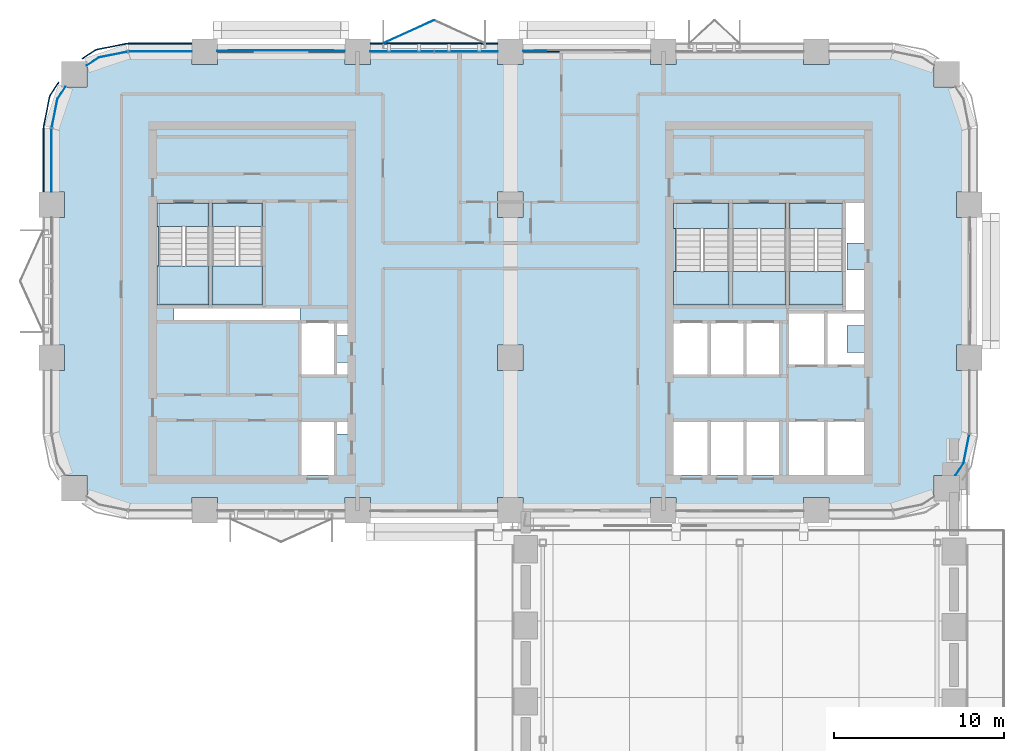
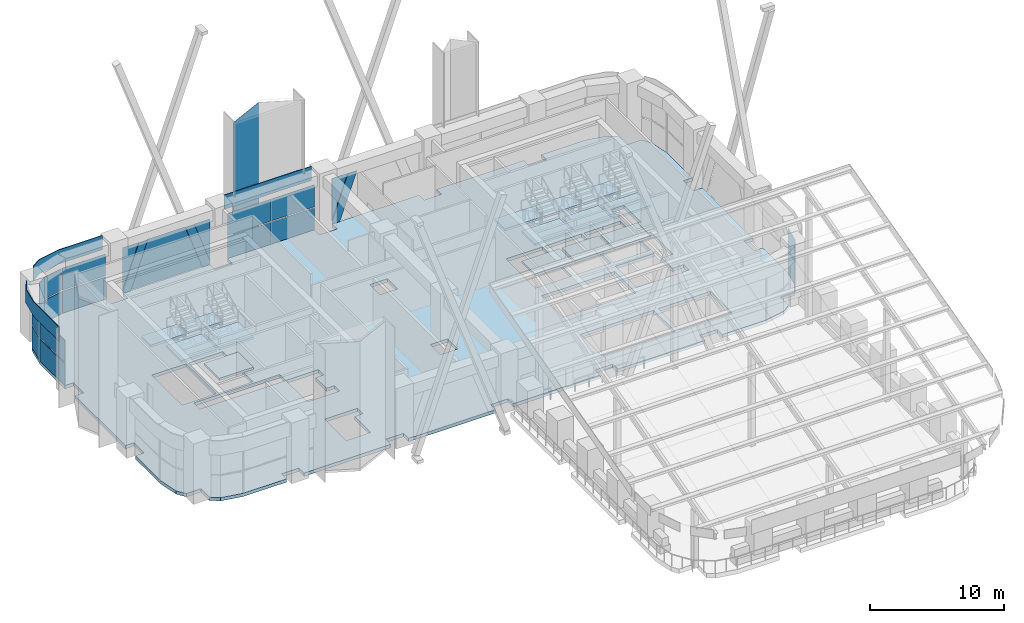
# One storey, part 11 of 22: 25 plates, 15 slabs, 11 elements without a shape of their own.
"""IFC4 building model written with IfcOpenShell, lengths in metres."""

from ifc_helpers import new_model, si_unit, direction, frame, origin, origin_2d, place, context, subcontext, project, spatial, polyline, rectangle, outline, extrude, material, layer, layer_set, type_object, element, aggregate, save


model = new_model("IFC4")

# Units and contexts
model_context = context("Model", 3, precision=1e-05, world=origin(), true_north=direction((0.0, 1.0)))
body_context = subcontext(model_context, "Body", "Model", "MODEL_VIEW")
ifc_project = project(units=[si_unit("LENGTHUNIT", "METRE"), si_unit("AREAUNIT", "SQUARE_METRE"), si_unit("VOLUMEUNIT", "CUBIC_METRE"), si_unit("PLANEANGLEUNIT", "RADIAN"), si_unit("MASSUNIT", "GRAM", prefix="KILO")], contexts=[model_context])

# Site, building, storey
site_placement = place(None, origin())
site = spatial("IfcSite", under=ifc_project, at=site_placement, CompositionType="ELEMENT")
building_placement = place(site_placement, origin())
building = spatial("IfcBuilding", under=site, at=building_placement, Name="Tessera Arch", CompositionType="ELEMENT")
storey_placement = place(building_placement, frame((0.0, 0.0, 129.39990234375)))
storey = spatial("IfcBuildingStorey", under=building, at=storey_placement, Name="L30", CompositionType="ELEMENT", Elevation=129.39990234375)

# Curtain wall, plates
ifc_material_1 = material(Name="CW1 curtain wall")
curtain_wall_type_1 = type_object("IfcCurtainWallType", Name="CW1 curtain wall", PredefinedType="NOTDEFINED", material=ifc_material_1)
curtain_wall_1_placement = place(storey_placement, origin())
curtain_wall_1 = element("IfcCurtainWall", 1, at=curtain_wall_1_placement, inside=storey, type_object=curtain_wall_type_1, Name="CW1 curtain wall N54.0/3 L30", PredefinedType="NOTDEFINED")
ifc_material_2 = material(Name="Clear low-e glass", Category="glass")
ifc_material_3 = material(Name="Clear low-e glass", Category="glass")
ifc_layer_1 = layer(ifc_material_3, 0.028076171875)
ifc_layer_set_1 = layer_set([ifc_layer_1], Name="CW1 glass panel")
plate_type_1 = type_object("IfcPlateType", Name="CW1 glass panel", PredefinedType="CURTAIN_PANEL", material=ifc_layer_set_1)
plate_1_placement = place(storey_placement, frame((24.389892578125, 54.0, 0.0), z_axis=(0.0, 0.0, 1.0), x_axis=(-1.0, 0.0, 0.0)))
plate_1 = element("IfcPlate", 2, at=plate_1_placement, type_object=plate_type_1, material=ifc_material_2, Name="CW1 glass panel N54.0/3 1.1.1", PredefinedType="CURTAIN_PANEL", context=body_context, shape_type="SweptSolid", body=[
    extrude(rectangle(XDim=3.719970703125, YDim=0.028076171875, at=origin_2d()), origin(), (0.0, 0.0, 1.0), 2.0),
])
plate_2_placement = place(storey_placement, frame((24.389892578125, 54.0, 2.10009765625), z_axis=(0.0, 0.0, 1.0), x_axis=(-1.0, 0.0, 0.0)))
plate_2 = element("IfcPlate", 3, at=plate_2_placement, type_object=plate_type_1, material=ifc_material_2, Name="CW1 glass panel N54.0/3 1.1.2", PredefinedType="CURTAIN_PANEL", context=body_context, shape_type="SweptSolid", body=[
    extrude(rectangle(XDim=3.719970703125, YDim=0.028076171875, at=origin_2d()), origin(), (0.0, 0.0, 1.0), 2.0),
])
plate_3_placement = place(storey_placement, frame((20.610107421875, 54.0, 0.0), z_axis=(0.0, 0.0, 1.0), x_axis=(-1.0, 0.0, 0.0)))
plate_3 = element("IfcPlate", 4, at=plate_3_placement, type_object=plate_type_1, material=ifc_material_2, Name="CW1 glass panel N54.0/3 1.2.1", PredefinedType="CURTAIN_PANEL", context=body_context, shape_type="SweptSolid", body=[
    extrude(rectangle(XDim=3.719970703125, YDim=0.028076171875, at=origin_2d()), origin(), (0.0, 0.0, 1.0), 2.0),
])
plate_4_placement = place(storey_placement, frame((20.610107421875, 54.0, 2.10009765625), z_axis=(0.0, 0.0, 1.0), x_axis=(-1.0, 0.0, 0.0)))
plate_4 = element("IfcPlate", 5, at=plate_4_placement, type_object=plate_type_1, material=ifc_material_2, Name="CW1 glass panel N54.0/3 1.2.2", PredefinedType="CURTAIN_PANEL", context=body_context, shape_type="SweptSolid", body=[
    extrude(rectangle(XDim=3.719970703125, YDim=0.028076171875, at=origin_2d()), origin(), (0.0, 0.0, 1.0), 2.0),
])
ifc_material_4 = material(Name="Pale anodised aluminium panel", Category="aluminium")
ifc_layer_2 = layer(ifc_material_4, 0.06005859375)
ifc_layer_set_2 = layer_set([ifc_layer_2], Name="CW1 spandrel panel")
plate_type_2 = type_object("IfcPlateType", Name="CW1 spandrel panel", PredefinedType="CURTAIN_PANEL", material=ifc_layer_set_2)
plate_5_placement = place(storey_placement, frame((22.5, 54.47998046875, 4.2001953125), z_axis=(0.0, 0.0, 1.0), x_axis=(-1.0, 0.0, 0.0)))
plate_5 = element("IfcPlate", 6, at=plate_5_placement, type_object=plate_type_2, Name="CW1 spandrel panel N54.0/3", PredefinedType="CURTAIN_PANEL", context=body_context, shape_type="SweptSolid", body=[
    extrude(rectangle(XDim=7.5, YDim=0.06005859375, at=origin_2d()), origin(), (0.0, 0.0, 1.0), 1.300048828125),
])
aggregate(curtain_wall_1, [plate_1, plate_2, plate_3, plate_4, plate_5])

ifc_material_5 = material(Name="CW2 curtain wall")
curtain_wall_type_2 = type_object("IfcCurtainWallType", Name="CW2 curtain wall", PredefinedType="NOTDEFINED", material=ifc_material_5)
curtain_wall_2_placement = place(storey_placement, origin())
curtain_wall_2 = element("IfcCurtainWall", 7, at=curtain_wall_2_placement, inside=storey, type_object=curtain_wall_type_2, Name="CW2 curtain wall N54.0/5 L30", PredefinedType="NOTDEFINED")
ifc_material_6 = material(Name="Clear low-e glass", Category="glass")
ifc_layer_3 = layer(ifc_material_6, 0.028076171875)
ifc_layer_set_3 = layer_set([ifc_layer_3], Name="CW2 glass panel")
plate_type_3 = type_object("IfcPlateType", Name="CW2 glass panel", PredefinedType="CURTAIN_PANEL", material=ifc_layer_set_3)
plate_6_placement = place(storey_placement, frame((6.39501953125, 54.0, 0.0), z_axis=(0.0, 0.0, 1.0), x_axis=(-1.0, 0.0, 0.0)))
plate_6 = element("IfcPlate", 8, at=plate_6_placement, type_object=plate_type_3, material=ifc_material_2, Name="CW2 glass panel N54.0/5 1.1", PredefinedType="CURTAIN_PANEL", context=body_context, shape_type="SweptSolid", body=[
    extrude(rectangle(XDim=3.7099609375, YDim=0.028076171875, at=origin_2d()), origin(), (0.0, 0.0, 1.0), 2.0),
])
plate_7_placement = place(storey_placement, origin())
plate_7 = element("IfcPlate", 9, at=plate_7_placement, type_object=plate_type_3, material=ifc_material_2, Name="CW2 curved glass panel N54.0/5 2.1", PredefinedType="CURTAIN_PANEL", context=body_context, shape_type="SweptSolid", body=[
    extrude(outline(polyline([(2.783447265625, 53.644287109375), (4.46337890625, 53.978515625), (4.4580078125, 54.005859375), (2.7724609375, 53.670654296875), (2.060302734375, 53.19482421875), (2.07568359375, 53.17138671875), (2.783447265625, 53.644287109375)])), origin(), (0.0, 0.0, 1.0), 2.0),
])
plate_8_placement = place(storey_placement, frame((6.39501953125, 54.0, 2.10009765625), z_axis=(0.0, 0.0, 1.0), x_axis=(-1.0, 0.0, 0.0)))
plate_8 = element("IfcPlate", 10, at=plate_8_placement, type_object=plate_type_3, material=ifc_material_2, Name="CW2 glass panel N54.0/5 1.2", PredefinedType="CURTAIN_PANEL", context=body_context, shape_type="SweptSolid", body=[
    extrude(rectangle(XDim=3.7099609375, YDim=0.028076171875, at=origin_2d()), origin(), (0.0, 0.0, 1.0), 2.0),
])
plate_9_placement = place(storey_placement, frame((0.0, 0.0, 2.10009765625)))
plate_9 = element("IfcPlate", 11, at=plate_9_placement, type_object=plate_type_3, material=ifc_material_2, Name="CW2 curved glass panel N54.0/5 2.2", PredefinedType="CURTAIN_PANEL", context=body_context, shape_type="SweptSolid", body=[
    extrude(outline(polyline([(2.783447265625, 53.644287109375), (4.46337890625, 53.978515625), (4.4580078125, 54.005859375), (2.7724609375, 53.670654296875), (2.060302734375, 53.19482421875), (2.07568359375, 53.17138671875), (2.783447265625, 53.644287109375)])), origin(), (0.0, 0.0, 1.0), 2.0),
])

curtain_wall_3_placement = place(storey_placement, origin())
curtain_wall_3 = element("IfcCurtainWall", 12, at=curtain_wall_3_placement, inside=storey, type_object=curtain_wall_type_2, Name="CW2 curtain wall W0.27/0 L30", PredefinedType="NOTDEFINED")
plate_10_placement = place(storey_placement, frame((0.0, 47.60498046875, 0.0), z_axis=(0.0, 0.0, 1.0), x_axis=(0.0, -1.0, 0.0)))
plate_10 = element("IfcPlate", 13, at=plate_10_placement, type_object=plate_type_3, material=ifc_material_2, Name="CW2 glass panel W0.27/0 1.1", PredefinedType="CURTAIN_PANEL", context=body_context, shape_type="SweptSolid", body=[
    extrude(rectangle(XDim=3.7099609375, YDim=0.028076171875, at=origin_2d()), origin(), (0.0, 0.0, 1.0), 2.0),
])
plate_11_placement = place(storey_placement, origin())
plate_11 = element("IfcPlate", 14, at=plate_11_placement, type_object=plate_type_3, material=ifc_material_2, Name="CW2 curved glass panel W0.27/0 2.1", PredefinedType="CURTAIN_PANEL", context=body_context, shape_type="SweptSolid", body=[
    extrude(outline(polyline([(0.355712890625, 51.216552734375), (0.82861328125, 51.92431640625), (0.80517578125, 51.939697265625), (0.329345703125, 51.2275390625), (-0.005859375, 49.5419921875), (0.021484375, 49.53662109375), (0.355712890625, 51.216552734375)])), origin(), (0.0, 0.0, 1.0), 2.0),
])
plate_12_placement = place(storey_placement, frame((0.0, 47.60498046875, 2.10009765625), z_axis=(0.0, 0.0, 1.0), x_axis=(0.0, -1.0, 0.0)))
plate_12 = element("IfcPlate", 15, at=plate_12_placement, type_object=plate_type_3, material=ifc_material_2, Name="CW2 glass panel W0.27/0 1.2", PredefinedType="CURTAIN_PANEL", context=body_context, shape_type="SweptSolid", body=[
    extrude(rectangle(XDim=3.7099609375, YDim=0.028076171875, at=origin_2d()), origin(), (0.0, 0.0, 1.0), 2.0),
])
plate_13_placement = place(storey_placement, frame((0.0, 0.0, 2.10009765625)))
plate_13 = element("IfcPlate", 16, at=plate_13_placement, type_object=plate_type_3, material=ifc_material_2, Name="CW2 curved glass panel W0.27/0 2.2", PredefinedType="CURTAIN_PANEL", context=body_context, shape_type="SweptSolid", body=[
    extrude(outline(polyline([(0.355712890625, 51.216552734375), (0.82861328125, 51.92431640625), (0.80517578125, 51.939697265625), (0.329345703125, 51.2275390625), (-0.005859375, 49.5419921875), (0.021484375, 49.53662109375), (0.355712890625, 51.216552734375)])), origin(), (0.0, 0.0, 1.0), 2.0),
])

curtain_wall_4_placement = place(storey_placement, origin())
curtain_wall_4 = element("IfcCurtainWall", 17, at=curtain_wall_4_placement, inside=storey, type_object=curtain_wall_type_2, Name="CW2 curtain wall E54.27/2 L30", PredefinedType="NOTDEFINED")
plate_14_placement = place(storey_placement, origin())
plate_14 = element("IfcPlate", 18, at=plate_14_placement, type_object=plate_type_3, material=ifc_material_2, Name="CW2 curved glass panel E54.27/2 2.1", PredefinedType="CURTAIN_PANEL", context=body_context, shape_type="SweptSolid", body=[
    extrude(outline(polyline([(53.644287109375, 29.783447265625), (53.17138671875, 29.07568359375), (53.19482421875, 29.060302734375), (53.670654296875, 29.7724609375), (54.005859375, 31.4580078125), (53.978515625, 31.46337890625), (53.644287109375, 29.783447265625)])), origin(), (0.0, 0.0, 1.0), 2.0),
])
plate_15_placement = place(storey_placement, frame((0.0, 0.0, 2.10009765625)))
plate_15 = element("IfcPlate", 19, at=plate_15_placement, type_object=plate_type_3, material=ifc_material_2, Name="CW2 curved glass panel E54.27/2 2.2", PredefinedType="CURTAIN_PANEL", context=body_context, shape_type="SweptSolid", body=[
    extrude(outline(polyline([(53.644287109375, 29.783447265625), (53.17138671875, 29.07568359375), (53.19482421875, 29.060302734375), (53.670654296875, 29.7724609375), (54.005859375, 31.4580078125), (53.978515625, 31.46337890625), (53.644287109375, 29.783447265625)])), origin(), (0.0, 0.0, 1.0), 2.0),
])
aggregate(curtain_wall_4, [plate_14, plate_15])

# Plate
ifc_material_7 = material(Name="Pale anodised aluminium panel", Category="aluminium")
ifc_layer_4 = layer(ifc_material_7, 0.06005859375)
ifc_layer_set_4 = layer_set([ifc_layer_4], Name="CW2 spandrel panel")
plate_type_4 = type_object("IfcPlateType", Name="CW2 spandrel panel", PredefinedType="CURTAIN_PANEL", material=ifc_layer_set_4)
plate_16_placement = place(storey_placement, frame((0.0, 0.0, 4.2001953125)))
plate_16 = element("IfcPlate", 20, at=plate_16_placement, type_object=plate_type_4, Name="CW2 spandrel panel N54.0/5", PredefinedType="CURTAIN_PANEL", context=body_context, shape_type="SweptSolid", body=[
    extrude(outline(polyline([(4.500732421875, 54.449951171875), (8.25, 54.449951171875), (8.25, 54.510009765625), (4.499267578125, 54.510009765625), (4.449951171875, 54.507568359375), (4.401123046875, 54.500244140625), (2.677734375, 54.157470703125), (2.6298828125, 54.1455078125), (2.582763671875, 54.128662109375), (2.537353515625, 54.107421875), (2.4951171875, 54.08203125), (1.78466796875, 53.607177734375), (1.81787109375, 53.55712890625), (2.52734375, 54.03125), (2.565673828125, 54.054443359375), (2.605712890625, 54.0732421875), (2.647216796875, 54.088134765625), (2.69091796875, 54.09912109375), (4.411376953125, 54.441162109375), (4.455810546875, 54.44775390625), (4.500732421875, 54.449951171875)])), origin(), (0.0, 0.0, 1.0), 1.2998046875),
])

aggregate(curtain_wall_2, [plate_6, plate_7, plate_8, plate_9, plate_16])

plate_17_placement = place(storey_placement, frame((0.0, 0.0, 4.2001953125)))
plate_17 = element("IfcPlate", 21, at=plate_17_placement, type_object=plate_type_4, Name="CW2 spandrel panel W0.27/0", PredefinedType="CURTAIN_PANEL", context=body_context, shape_type="SweptSolid", body=[
    extrude(outline(polyline([(-0.03125, 51.47265625), (0.44287109375, 52.18212890625), (0.392822265625, 52.21533203125), (-0.08203125, 51.5048828125), (-0.107421875, 51.462646484375), (-0.128662109375, 51.417236328125), (-0.1455078125, 51.3701171875), (-0.157470703125, 51.322265625), (-0.500244140625, 49.598876953125), (-0.507568359375, 49.550048828125), (-0.510009765625, 49.500732421875), (-0.510009765625, 45.75), (-0.449951171875, 45.75), (-0.449951171875, 49.499267578125), (-0.44775390625, 49.544189453125), (-0.441162109375, 49.588623046875), (-0.09912109375, 51.30908203125), (-0.088134765625, 51.352783203125), (-0.0732421875, 51.394287109375), (-0.054443359375, 51.434326171875), (-0.03125, 51.47265625)])), origin(), (0.0, 0.0, 1.0), 1.2998046875),
])

aggregate(curtain_wall_3, [plate_10, plate_11, plate_12, plate_13, plate_17])

# Curtain wall, plate
ifc_material_8 = material(Name="CW3 curtain wall")
curtain_wall_type_3 = type_object("IfcCurtainWallType", Name="CW3 curtain wall", PredefinedType="NOTDEFINED", material=ifc_material_8)
curtain_wall_5_placement = place(storey_placement, origin())
curtain_wall_5 = element("IfcCurtainWall", 22, at=curtain_wall_5_placement, inside=storey, type_object=curtain_wall_type_3, Name="CW3 curtain wall N54.0/2 L30", PredefinedType="NOTDEFINED")
ifc_material_9 = material(Name="Pale anodised aluminium panel", Category="aluminium")
ifc_layer_5 = layer(ifc_material_9, 0.06005859375)
ifc_layer_set_5 = layer_set([ifc_layer_5], Name="CW3 diagonal panel")
plate_type_5 = type_object("IfcPlateType", Name="CW3 diagonal panel", PredefinedType="CURTAIN_PANEL", material=ifc_layer_set_5)
plate_18_placement = place(storey_placement, frame((27.75, 54.030029296875, 0.0), z_axis=(0.0, 1.0, 0.0), x_axis=(0.0, 0.0, 1.0)))
plate_18 = element("IfcPlate", 23, at=plate_18_placement, type_object=plate_type_5, Name="CW3 diagonal panel N54.0/2 1", PredefinedType="CURTAIN_PANEL", context=body_context, shape_type="SweptSolid", body=[
    extrude(outline(polyline([(0.0, 0.0), (0.277099609375, 0.0), (4.10009765625, 1.35888671875), (4.10009765625, 2.12451171875), (0.0, 0.667236328125), (0.0, 0.0)])), origin(), (0.0, 0.0, -1.0), 0.06005859375),
])

# Curtain wall, plates
curtain_wall_6_placement = place(storey_placement, origin())
curtain_wall_6 = element("IfcCurtainWall", 24, at=curtain_wall_6_placement, inside=storey, type_object=curtain_wall_type_3, Name="CW3 curtain wall N54.0/4 L30", PredefinedType="NOTDEFINED")
plate_19_placement = place(storey_placement, frame((9.75, 54.030029296875, 0.0), z_axis=(0.0, 1.0, 0.0), x_axis=(0.0, 0.0, 1.0)))
plate_19 = element("IfcPlate", 25, at=plate_19_placement, type_object=plate_type_5, Name="CW3 diagonal panel N54.0/4 1", PredefinedType="CURTAIN_PANEL", context=body_context, shape_type="SweptSolid", body=[
    extrude(outline(polyline([(0.0, 0.0), (0.277099609375, 0.0), (4.10009765625, 1.35888671875), (4.10009765625, 2.12451171875), (0.0, 0.667236328125), (0.0, 0.0)])), origin(), (0.0, 0.0, -1.0), 0.06005859375),
])
plate_20_placement = place(storey_placement, frame((15.12548828125, 54.030029296875, 4.10009765625), z_axis=(0.0, 1.0, 0.0), x_axis=(1.0, 0.0, 0.0)))
plate_20 = element("IfcPlate", 26, at=plate_20_placement, type_object=plate_type_5, Name="CW3 diagonal panel N54.0/4 2", PredefinedType="CURTAIN_PANEL", context=body_context, shape_type="SweptSolid", body=[
    extrude(outline(polyline([(0.0, 0.0), (0.765625, 0.0), (2.12451171875, 3.822998046875), (2.12451171875, 4.10009765625), (1.457275390625, 4.10009765625), (0.0, 0.0)])), origin(), (0.0, 0.0, -1.0), 0.06005859375),
])

# Plate
ifc_material_10 = material(Name="Clear low-e glass", Category="glass")
ifc_layer_6 = layer(ifc_material_10, 0.028076171875)
ifc_layer_set_6 = layer_set([ifc_layer_6], Name="CW3 glass panel")
plate_type_6 = type_object("IfcPlateType", Name="CW3 glass panel", PredefinedType="CURTAIN_PANEL", material=ifc_layer_set_6)
plate_21_placement = place(storey_placement, frame((27.75, 54.05810546875, 4.10009765625), z_axis=(0.0, 1.0, 0.0), x_axis=(1.0, 0.0, 0.0)))
plate_21 = element("IfcPlate", 27, at=plate_21_placement, type_object=plate_type_6, material=ifc_material_2, Name="CW3 triangulated glass panel N54.0/2 3", PredefinedType="CURTAIN_PANEL", context=body_context, shape_type="SweptSolid", body=[
    extrude(outline(polyline([(0.0, 0.0), (1.35888671875, 0.0), (0.0, 3.822998046875), (0.0, 0.0)])), origin(), (0.0, 0.0, -1.0), 0.028076171875),
])

aggregate(curtain_wall_5, [plate_21, plate_18])

plate_22_placement = place(storey_placement, frame((17.25, 54.05810546875, 4.10009765625), z_axis=(0.0, 1.0, 0.0), x_axis=(0.0, 0.0, -1.0)))
plate_22 = element("IfcPlate", 28, at=plate_22_placement, type_object=plate_type_6, material=ifc_material_2, Name="CW3 triangulated glass panel N54.0/4 1", PredefinedType="CURTAIN_PANEL", context=body_context, shape_type="SweptSolid", body=[
    extrude(outline(polyline([(0.0, 0.0), (3.822998046875, 0.0), (0.0, 1.35888671875), (0.0, 0.0)])), origin(), (0.0, 0.0, -1.0), 0.028076171875),
])

plate_23_placement = place(storey_placement, frame((11.87451171875, 54.0859375, 4.10009765625), z_axis=(0.0, 1.0, 0.0), x_axis=(1.0, 0.0, 0.0)))
plate_23 = element("IfcPlate", 29, at=plate_23_placement, type_object=plate_type_6, material=ifc_material_2, Name="CW3 triangulated glass panel N54.0/4 2", PredefinedType="CURTAIN_PANEL", context=body_context, shape_type="SweptSolid", body=[
    extrude(outline(polyline([(0.0, 0.0), (3.2509765625, 0.0), (4.708251953125, 4.10009765625), (-1.457275390625, 4.10009765625), (0.0, 0.0)])), origin(), (0.0, 0.0, -1.0), 0.028076171875),
])

plate_24_placement = place(storey_placement, frame((9.75, 54.05810546875, 4.10009765625), z_axis=(0.0, 1.0, 0.0), x_axis=(1.0, 0.0, 0.0)))
plate_24 = element("IfcPlate", 30, at=plate_24_placement, type_object=plate_type_6, material=ifc_material_2, Name="CW3 triangulated glass panel N54.0/4 3", PredefinedType="CURTAIN_PANEL", context=body_context, shape_type="SweptSolid", body=[
    extrude(outline(polyline([(0.0, 0.0), (1.35888671875, 0.0), (0.0, 3.822998046875), (0.0, 0.0)])), origin(), (0.0, 0.0, -1.0), 0.028076171875),
])

aggregate(curtain_wall_6, [plate_22, plate_23, plate_24, plate_19, plate_20])

# Slab
ifc_material_11 = material(Name="Concrete C40/50", Category="concrete")
ifc_layer_7 = layer(ifc_material_11, 0.300048828125)
ifc_layer_set_7 = layer_set([ifc_layer_7], Name="Floor slab 300 Concrete C40/50")
slab_type_1 = type_object("IfcSlabType", Name="Floor slab 300 Concrete C40/50", PredefinedType="FLOOR", material=ifc_layer_set_7)
slab_1_placement = place(storey_placement, frame((0.0, 0.0, -0.2998046875)))
element("IfcSlab", 31, at=slab_1_placement, inside=storey, type_object=slab_type_1, Name="Floor slab L30 1", PredefinedType="FLOOR", context=body_context, shape_type="SweptSolid", body=[
    extrude(outline(polyline([(54.0, 31.5), (53.657470703125, 29.77783203125), (53.18310546875, 29.068115234375), (51.931884765625, 29.068115234375), (51.931884765625, 27.81689453125), (51.22216796875, 27.342529296875), (49.5, 27.0), (45.75, 27.0), (45.75, 27.75), (44.25, 27.75), (44.25, 27.0), (36.75, 27.0), (36.75, 27.75), (35.25, 27.75), (35.25, 27.0), (27.75, 27.0), (27.75, 27.75), (26.25, 27.75), (26.25, 27.0), (18.75, 27.0), (18.75, 27.75), (17.25, 27.75), (17.25, 27.0), (9.75, 27.0), (9.75, 27.75), (8.25, 27.75), (8.25, 27.0), (4.5, 27.0), (2.77783203125, 27.342529296875), (2.068115234375, 27.81689453125), (2.068115234375, 29.068115234375), (0.81689453125, 29.068115234375), (0.342529296875, 29.77783203125), (0.0, 31.5), (0.0, 35.25), (0.75, 35.25), (0.75, 36.75), (0.0, 36.75), (0.0, 44.25), (0.75, 44.25), (0.75, 45.75), (0.0, 45.75), (0.0, 49.5), (0.342529296875, 51.22216796875), (0.81689453125, 51.931884765625), (2.068115234375, 51.931884765625), (2.068115234375, 53.18310546875), (2.77783203125, 53.657470703125), (4.5, 54.0), (8.25, 54.0), (8.25, 53.25), (9.75, 53.25), (9.75, 54.0), (17.25, 54.0), (17.25, 53.25), (18.75, 53.25), (18.75, 54.0), (26.25, 54.0), (26.25, 53.25), (27.75, 53.25), (27.75, 54.0), (35.25, 54.0), (35.25, 53.25), (36.75, 53.25), (36.75, 54.0), (44.25, 54.0), (44.25, 53.25), (45.75, 53.25), (45.75, 54.0), (49.5, 54.0), (51.22216796875, 53.657470703125), (51.931884765625, 53.18310546875), (51.931884765625, 51.931884765625), (53.18310546875, 51.931884765625), (53.657470703125, 51.22216796875), (54.0, 49.5), (54.0, 45.75), (53.25, 45.75), (53.25, 44.25), (54.0, 44.25), (54.0, 36.75), (53.25, 36.75), (53.25, 35.25), (54.0, 35.25), (54.0, 31.5)]), holes=[polyline([(14.60009765625, 29.10009765625), (16.699951171875, 29.10009765625), (16.699951171875, 31.5), (17.39990234375, 31.5), (17.39990234375, 32.300048828125), (16.699951171875, 32.300048828125), (14.60009765625, 32.300048828125), (14.60009765625, 29.10009765625)]), polyline([(26.25, 36.75), (26.25, 35.25), (27.75, 35.25), (27.75, 36.75), (26.25, 36.75)]), polyline([(17.39990234375, 37.300048828125), (17.39990234375, 38.10009765625), (16.699951171875, 38.10009765625), (14.60498046875, 38.10009765625), (14.60498046875, 38.10498046875), (14.60009765625, 38.10498046875), (14.60009765625, 39.0), (7.199951171875, 39.0), (7.199951171875, 38.10009765625), (14.594970703125, 38.10009765625), (14.594970703125, 38.094970703125), (14.60009765625, 38.094970703125), (14.60009765625, 34.89990234375), (16.699951171875, 34.89990234375), (17.39990234375, 34.89990234375), (17.39990234375, 35.699951171875), (16.699951171875, 35.699951171875), (16.699951171875, 37.300048828125), (17.39990234375, 37.300048828125)]), polyline([(6.300048828125, 43.68994140625), (6.300048828125, 39.199951171875), (9.25, 39.199951171875), (9.25, 43.68994140625), (7.85009765625, 43.68994140625), (7.85009765625, 43.699951171875), (7.699951171875, 43.699951171875), (7.699951171875, 43.68994140625), (6.300048828125, 43.68994140625)]), polyline([(9.449951171875, 39.199951171875), (12.39990234375, 39.199951171875), (12.39990234375, 43.68994140625), (11.0, 43.68994140625), (11.0, 43.699951171875), (10.85009765625, 43.699951171875), (10.85009765625, 43.68994140625), (9.449951171875, 43.68994140625), (9.449951171875, 39.199951171875)]), polyline([(38.699951171875, 29.10009765625), (40.800048828125, 29.10009765625), (42.89990234375, 29.10009765625), (42.89990234375, 32.300048828125), (40.800048828125, 32.300048828125), (38.699951171875, 32.300048828125), (36.60009765625, 32.300048828125), (36.60009765625, 29.10009765625), (38.699951171875, 29.10009765625)]), polyline([(45.550048828125, 32.300048828125), (43.300048828125, 32.300048828125), (43.300048828125, 29.10009765625), (45.550048828125, 29.10009765625), (47.800048828125, 29.10009765625), (47.800048828125, 32.300048828125), (45.550048828125, 32.300048828125)]), polyline([(40.800048828125, 34.89990234375), (42.89990234375, 34.89990234375), (42.89990234375, 38.10009765625), (40.800048828125, 38.10009765625), (38.699951171875, 38.10009765625), (36.60009765625, 38.10009765625), (36.60009765625, 34.89990234375), (38.699951171875, 34.89990234375), (40.800048828125, 34.89990234375)]), polyline([(47.800048828125, 42.75), (47.800048828125, 45.199951171875), (46.64990234375, 45.199951171875), (46.64990234375, 38.699951171875), (45.550048828125, 38.699951171875), (43.300048828125, 38.699951171875), (43.300048828125, 35.5), (45.550048828125, 35.5), (47.800048828125, 35.5), (47.800048828125, 36.300048828125), (46.800048828125, 36.300048828125), (46.800048828125, 37.89990234375), (47.800048828125, 37.89990234375), (47.800048828125, 38.699951171875), (47.800048828125, 41.14990234375), (46.800048828125, 41.14990234375), (46.800048828125, 42.75), (47.800048828125, 42.75)]), polyline([(36.699951171875, 39.199951171875), (39.85009765625, 39.199951171875), (39.85009765625, 43.570068359375), (38.330078125, 43.570068359375), (38.330078125, 43.580078125), (38.219970703125, 43.580078125), (38.219970703125, 43.570068359375), (36.699951171875, 43.570068359375), (36.699951171875, 39.199951171875)]), polyline([(40.050048828125, 39.199951171875), (43.199951171875, 39.199951171875), (43.199951171875, 43.570068359375), (41.679931640625, 43.570068359375), (41.679931640625, 43.580078125), (41.570068359375, 43.580078125), (41.570068359375, 43.570068359375), (40.050048828125, 43.570068359375), (40.050048828125, 39.199951171875)]), polyline([(43.39990234375, 43.570068359375), (43.39990234375, 39.199951171875), (46.550048828125, 39.199951171875), (46.550048828125, 43.570068359375), (45.030029296875, 43.570068359375), (45.030029296875, 43.580078125), (44.919921875, 43.580078125), (44.919921875, 43.570068359375), (43.39990234375, 43.570068359375)]), polyline([(26.25, 45.75), (26.25, 44.25), (27.75, 44.25), (27.75, 45.75), (26.25, 45.75)])]), origin(), (0.0, 0.0, 1.0), 0.2998046875),
])

# Stair, slabs
ifc_material_12 = material(Name="Concrete C40/50", Category="concrete")
stair_type_1 = type_object("IfcStairType", Name="Dogleg stair 1520", PredefinedType="HALF_TURN_STAIR", material=ifc_material_12)
stair_1_placement = place(storey_placement, origin())
stair_1 = element("IfcStair", 32, at=stair_1_placement, inside=storey, type_object=stair_type_1, Name="L30 S1a", PredefinedType="HALF_TURN_STAIR")
ifc_material_13 = material(Name="Concrete C40/50", Category="concrete")
ifc_layer_8 = layer(ifc_material_13, 0.300048828125)
ifc_layer_set_8 = layer_set([ifc_layer_8], Name="Stair landing 300")
slab_type_2 = type_object("IfcSlabType", Name="Stair landing 300", PredefinedType="LANDING", material=ifc_layer_set_8)
slab_2_placement = place(storey_placement, frame((0.0, 0.0, 1.175048828125)))
slab_2 = element("IfcSlab", 33, at=slab_2_placement, type_object=slab_type_2, Name="S1a landing 1", PredefinedType="LANDING", context=body_context, shape_type="SweptSolid", body=[
    extrude(outline(polyline([(36.60009765625, 41.06005859375), (36.60009765625, 39.10009765625), (39.85009765625, 39.10009765625), (39.85009765625, 41.06005859375), (36.60009765625, 41.06005859375)])), origin(), (0.0, 0.0, 1.0), 0.199951171875),
])
slab_3_placement = place(storey_placement, frame((0.0, 0.0, 2.550048828125)))
slab_3 = element("IfcSlab", 34, at=slab_3_placement, type_object=slab_type_2, Name="S1a landing 2", PredefinedType="LANDING", context=body_context, shape_type="SweptSolid", body=[
    extrude(outline(polyline([(36.60009765625, 45.10009765625), (36.60009765625, 43.580078125), (39.85009765625, 43.580078125), (39.85009765625, 45.10009765625), (36.60009765625, 45.10009765625)])), origin(), (0.0, 0.0, 1.0), 0.199951171875),
])
slab_4_placement = place(storey_placement, frame((0.0, 0.0, 3.925048828125)))
slab_4 = element("IfcSlab", 35, at=slab_4_placement, type_object=slab_type_2, Name="S1a landing 3", PredefinedType="LANDING", context=body_context, shape_type="SweptSolid", body=[
    extrude(outline(polyline([(36.60009765625, 41.06005859375), (36.60009765625, 39.10009765625), (39.85009765625, 39.10009765625), (39.85009765625, 41.06005859375), (36.60009765625, 41.06005859375)])), origin(), (0.0, 0.0, 1.0), 0.199951171875),
])
aggregate(stair_1, [slab_2, slab_3, slab_4])

stair_2_placement = place(storey_placement, origin())
stair_2 = element("IfcStair", 36, at=stair_2_placement, inside=storey, type_object=stair_type_1, Name="L30 S1b", PredefinedType="HALF_TURN_STAIR")
slab_5_placement = place(storey_placement, frame((0.0, 0.0, 1.175048828125)))
slab_5 = element("IfcSlab", 37, at=slab_5_placement, type_object=slab_type_2, Name="S1b landing 1", PredefinedType="LANDING", context=body_context, shape_type="SweptSolid", body=[
    extrude(outline(polyline([(40.050048828125, 41.06005859375), (40.050048828125, 39.10009765625), (43.199951171875, 39.10009765625), (43.199951171875, 41.06005859375), (40.050048828125, 41.06005859375)])), origin(), (0.0, 0.0, 1.0), 0.199951171875),
])
slab_6_placement = place(storey_placement, frame((0.0, 0.0, 2.550048828125)))
slab_6 = element("IfcSlab", 38, at=slab_6_placement, type_object=slab_type_2, Name="S1b landing 2", PredefinedType="LANDING", context=body_context, shape_type="SweptSolid", body=[
    extrude(outline(polyline([(40.050048828125, 45.10009765625), (40.050048828125, 43.580078125), (43.199951171875, 43.580078125), (43.199951171875, 45.10009765625), (40.050048828125, 45.10009765625)])), origin(), (0.0, 0.0, 1.0), 0.199951171875),
])
slab_7_placement = place(storey_placement, frame((0.0, 0.0, 3.925048828125)))
slab_7 = element("IfcSlab", 39, at=slab_7_placement, type_object=slab_type_2, Name="S1b landing 3", PredefinedType="LANDING", context=body_context, shape_type="SweptSolid", body=[
    extrude(outline(polyline([(40.050048828125, 41.06005859375), (40.050048828125, 39.10009765625), (43.199951171875, 39.10009765625), (43.199951171875, 41.06005859375), (40.050048828125, 41.06005859375)])), origin(), (0.0, 0.0, 1.0), 0.199951171875),
])
aggregate(stair_2, [slab_5, slab_6, slab_7])

stair_3_placement = place(storey_placement, origin())
stair_3 = element("IfcStair", 40, at=stair_3_placement, inside=storey, type_object=stair_type_1, Name="L30 S1c", PredefinedType="HALF_TURN_STAIR")
slab_8_placement = place(storey_placement, frame((0.0, 0.0, 1.175048828125)))
slab_8 = element("IfcSlab", 41, at=slab_8_placement, type_object=slab_type_2, Name="S1c landing 1", PredefinedType="LANDING", context=body_context, shape_type="SweptSolid", body=[
    extrude(outline(polyline([(43.39990234375, 41.06005859375), (43.39990234375, 39.10009765625), (46.550048828125, 39.10009765625), (46.550048828125, 41.06005859375), (43.39990234375, 41.06005859375)])), origin(), (0.0, 0.0, 1.0), 0.199951171875),
])
slab_9_placement = place(storey_placement, frame((0.0, 0.0, 2.550048828125)))
slab_9 = element("IfcSlab", 42, at=slab_9_placement, type_object=slab_type_2, Name="S1c landing 2", PredefinedType="LANDING", context=body_context, shape_type="SweptSolid", body=[
    extrude(outline(polyline([(43.39990234375, 45.10009765625), (43.39990234375, 43.580078125), (46.550048828125, 43.580078125), (46.550048828125, 45.10009765625), (43.39990234375, 45.10009765625)])), origin(), (0.0, 0.0, 1.0), 0.199951171875),
])
slab_10_placement = place(storey_placement, frame((0.0, 0.0, 3.925048828125)))
slab_10 = element("IfcSlab", 43, at=slab_10_placement, type_object=slab_type_2, Name="S1c landing 3", PredefinedType="LANDING", context=body_context, shape_type="SweptSolid", body=[
    extrude(outline(polyline([(43.39990234375, 41.06005859375), (43.39990234375, 39.10009765625), (46.550048828125, 39.10009765625), (46.550048828125, 41.06005859375), (43.39990234375, 41.06005859375)])), origin(), (0.0, 0.0, 1.0), 0.199951171875),
])
aggregate(stair_3, [slab_8, slab_9, slab_10])

ifc_material_14 = material(Name="Concrete C40/50", Category="concrete")
stair_type_2 = type_object("IfcStairType", Name="Dogleg stair 1400", PredefinedType="HALF_TURN_STAIR", material=ifc_material_14)
stair_4_placement = place(storey_placement, origin())
stair_4 = element("IfcStair", 44, at=stair_4_placement, inside=storey, type_object=stair_type_2, Name="L30 S2a", PredefinedType="HALF_TURN_STAIR")
slab_11_placement = place(storey_placement, frame((0.0, 0.0, 2.550048828125)))
slab_11 = element("IfcSlab", 45, at=slab_11_placement, type_object=slab_type_2, Name="S2a landing 2", PredefinedType="LANDING", context=body_context, shape_type="SweptSolid", body=[
    extrude(outline(polyline([(6.199951171875, 45.10009765625), (6.199951171875, 43.699951171875), (9.25, 43.699951171875), (9.25, 45.10009765625), (6.199951171875, 45.10009765625)])), origin(), (0.0, 0.0, 1.0), 0.199951171875),
])
slab_12_placement = place(storey_placement, frame((0.0, 0.0, 3.925048828125)))
slab_12 = element("IfcSlab", 46, at=slab_12_placement, type_object=slab_type_2, Name="S2a landing 3", PredefinedType="LANDING", context=body_context, shape_type="SweptSolid", body=[
    extrude(outline(polyline([(6.199951171875, 41.389892578125), (6.199951171875, 39.10009765625), (9.25, 39.10009765625), (9.25, 41.389892578125), (6.199951171875, 41.389892578125)])), origin(), (0.0, 0.0, 1.0), 0.199951171875),
])
aggregate(stair_4, [slab_11, slab_12])

stair_5_placement = place(storey_placement, origin())
stair_5 = element("IfcStair", 47, at=stair_5_placement, inside=storey, type_object=stair_type_2, Name="L30 S2b", PredefinedType="HALF_TURN_STAIR")
slab_13_placement = place(storey_placement, frame((0.0, 0.0, 1.175048828125)))
slab_13 = element("IfcSlab", 48, at=slab_13_placement, type_object=slab_type_2, Name="S2b landing 1", PredefinedType="LANDING", context=body_context, shape_type="SweptSolid", body=[
    extrude(outline(polyline([(9.449951171875, 41.389892578125), (9.449951171875, 39.10009765625), (12.39990234375, 39.10009765625), (12.39990234375, 41.389892578125), (9.449951171875, 41.389892578125)])), origin(), (0.0, 0.0, 1.0), 0.199951171875),
])
slab_14_placement = place(storey_placement, frame((0.0, 0.0, 2.550048828125)))
slab_14 = element("IfcSlab", 49, at=slab_14_placement, type_object=slab_type_2, Name="S2b landing 2", PredefinedType="LANDING", context=body_context, shape_type="SweptSolid", body=[
    extrude(outline(polyline([(9.449951171875, 45.10009765625), (9.449951171875, 43.699951171875), (12.39990234375, 43.699951171875), (12.39990234375, 45.10009765625), (9.449951171875, 45.10009765625)])), origin(), (0.0, 0.0, 1.0), 0.199951171875),
])
slab_15_placement = place(storey_placement, frame((0.0, 0.0, 3.925048828125)))
slab_15 = element("IfcSlab", 50, at=slab_15_placement, type_object=slab_type_2, Name="S2b landing 3", PredefinedType="LANDING", context=body_context, shape_type="SweptSolid", body=[
    extrude(outline(polyline([(9.449951171875, 41.389892578125), (9.449951171875, 39.10009765625), (12.39990234375, 39.10009765625), (12.39990234375, 41.389892578125), (9.449951171875, 41.389892578125)])), origin(), (0.0, 0.0, 1.0), 0.199951171875),
])
aggregate(stair_5, [slab_13, slab_14, slab_15])

# Plate
ifc_material_15 = material(Name="Clear low-e glass", Category="glass")
ifc_layer_9 = layer(ifc_material_15, 0.028076171875)
ifc_layer_set_9 = layer_set([ifc_layer_9], Name="Window box glass facet")
plate_type_7 = type_object("IfcPlateType", Name="Window box glass facet", PredefinedType="SHEET", material=ifc_layer_set_9)
plate_25_placement = place(storey_placement, frame((21.02490234375, 55.179931640625, 0.219970703125), z_axis=(0.0, 0.0, 1.0), x_axis=(0.910472144558, 0.413570397858, 0.0)))
element("IfcPlate", 51, at=plate_25_placement, inside=storey, type_object=plate_type_7, Name="Window box N54.0/3.0 2x3 glass", PredefinedType="SHEET", context=body_context, shape_type="SweptSolid", body=[
    extrude(rectangle(XDim=3.239990234375, YDim=0.028076171875, at=origin_2d()), origin(), (0.0, 0.0, 1.0), 11.56005859375),
])

save(model, "model.ifc")
